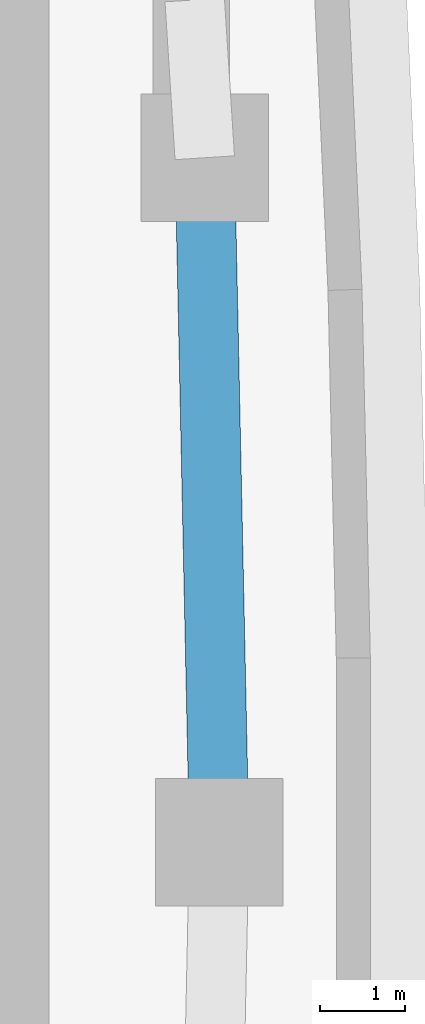
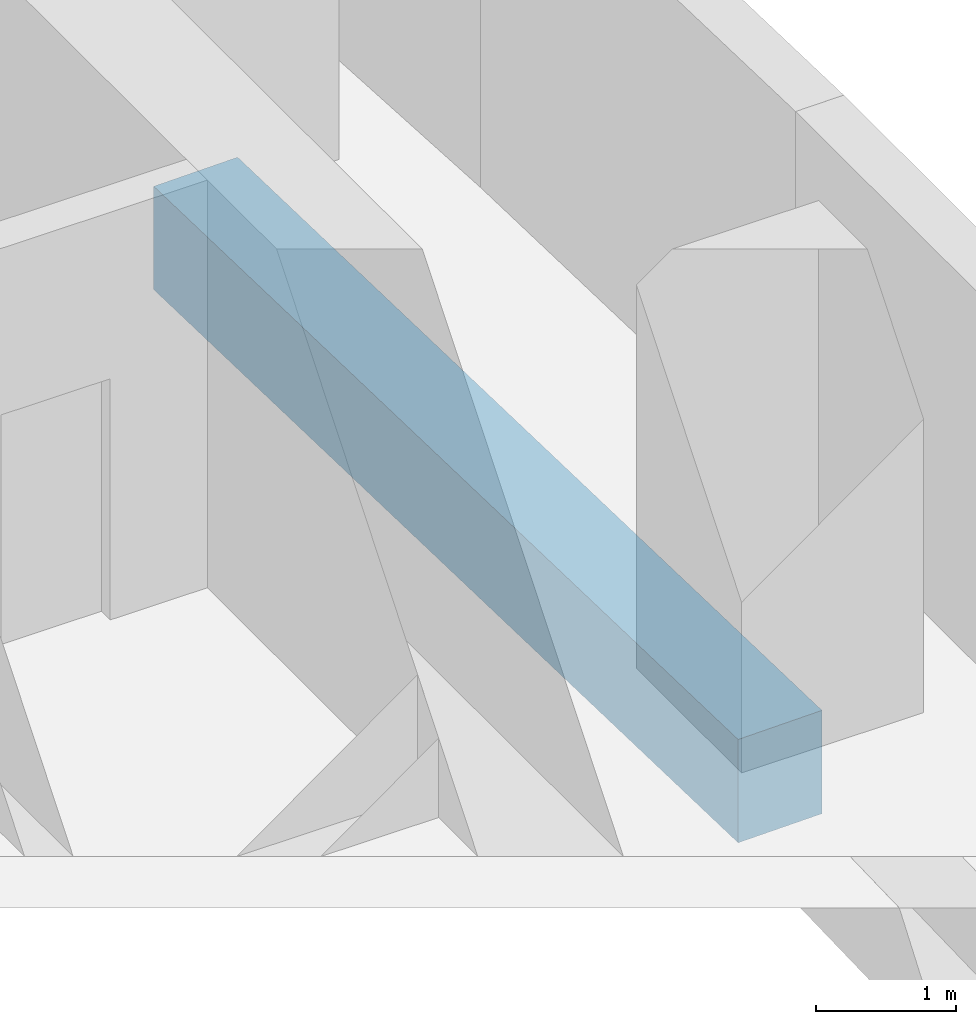
# One storey, part 4 of 17: 1 beam.
"""IFC4 building model written with IfcOpenShell, lengths in metres."""

import ifcopenshell
import ifcopenshell.guid

model = None  # the IFC model being written
_history = None  # IfcOwnerHistory: only IFC2X3 demands one
_inside = {}  # id of a spatial element -> (the spatial element, [elements in it])
_under = {}  # id of a project, library or spatial element -> (it, [spatial elements below it])
_declared = {}  # id of a project -> (the project, [libraries it declares])
_typed = {}  # id of a type object -> (the type object, [elements of that type])
_made_of = {}  # id of a material, layer set ... -> (it, [elements and type objects made of it])


def new_model(schema):
    """Start an empty IFC model of exactly this schema.

    Asked for "IFC4X3", IfcOpenShell would pick the latest addendum, in which some entities
    have other attributes; the version numbers below select the first issue.
    IFC2X3 requires an IfcOwnerHistory on every rooted entity: one is made here for all.
    """
    global model, _history
    if schema == "IFC4X3":
        model = ifcopenshell.file(schema_version=(4, 3, 0, 0))
    else:
        model = ifcopenshell.file(schema=schema)
    _inside.clear()
    _under.clear()
    _declared.clear()
    _typed.clear()
    _made_of.clear()
    _history = None
    if model.schema == "IFC2X3":
        org = make("IfcOrganization", Name="unknown")
        user = make(
            "IfcPersonAndOrganization",
            ThePerson=make("IfcPerson", FamilyName="unknown"),
            TheOrganization=org,
        )
        app = make(
            "IfcApplication",
            ApplicationDeveloper=org,
            Version="unknown",
            ApplicationFullName="unknown",
            ApplicationIdentifier="unknown",
        )
        _history = make(
            "IfcOwnerHistory",
            OwningUser=user,
            OwningApplication=app,
            ChangeAction="ADDED",
            CreationDate=0,
        )
    return model


def make(cls, **values):
    """One entity of the class cls with the attributes given. An attribute that is None is left unset."""
    return model.create_entity(
        cls, **{name: value for name, value in values.items() if value is not None}
    )


def rooted(cls, **values):
    """An entity with a GlobalId (a new one), such as an element, a storey or a relation."""
    return make(cls, GlobalId=ifcopenshell.guid.new(), OwnerHistory=_history, **values)


def si_unit(unit_type, name, prefix=None):
    """IfcSIUnit, for example si_unit("LENGTHUNIT", "METRE", prefix="MILLI")."""
    return make("IfcSIUnit", UnitType=unit_type, Prefix=prefix, Name=name)


def assignment(units):
    """IfcUnitAssignment: the units of a project."""
    return None if units is None else make("IfcUnitAssignment", Units=units)


def point(xyz):
    """IfcCartesianPoint."""
    return None if xyz is None else make("IfcCartesianPoint", Coordinates=xyz)


def direction(xyz):
    """IfcDirection."""
    return None if xyz is None else make("IfcDirection", DirectionRatios=xyz)


def frame(location, z_axis=None, x_axis=None):
    """IfcAxis2Placement3D, a coordinate frame: its origin and axes. An axis left out is left unset."""
    return make(
        "IfcAxis2Placement3D",
        Location=point(location),
        Axis=direction(z_axis),
        RefDirection=direction(x_axis),
    )


def frame_2d(location, x_axis=None):
    """IfcAxis2Placement2D, a coordinate frame in the plane: its origin and x axis."""
    return make(
        "IfcAxis2Placement2D", Location=point(location), RefDirection=direction(x_axis)
    )


def origin():
    """The frame at (0, 0, 0) with its axes left unset."""
    return frame((0.0, 0.0, 0.0))


def origin_2d():
    """The frame at (0, 0) in the plane with its x axis left unset."""
    return frame_2d((0.0, 0.0))


def place(relative_to, where):
    """IfcLocalPlacement: puts the frame where relative to a parent placement (None: the world)."""
    return make(
        "IfcLocalPlacement", PlacementRelTo=relative_to, RelativePlacement=where
    )


def context(
    kind, dimensions, precision=None, world=None, true_north=None, identifier=None
):
    """IfcGeometricRepresentationContext, for example the 3D "Model" context."""
    return make(
        "IfcGeometricRepresentationContext",
        ContextIdentifier=identifier,
        ContextType=kind,
        CoordinateSpaceDimension=dimensions,
        Precision=precision,
        WorldCoordinateSystem=world,
        TrueNorth=true_north,
    )


def subcontext(parent, identifier, kind, view, scale=None):
    """IfcGeometricRepresentationSubContext, for example "Body" below "Model"."""
    return make(
        "IfcGeometricRepresentationSubContext",
        ContextIdentifier=identifier,
        ContextType=kind,
        ParentContext=parent,
        TargetScale=scale,
        TargetView=view,
    )


def project(units=None, contexts=None):
    """IfcProject with its units and contexts."""
    return rooted(
        "IfcProject",
        Name="project",
        RepresentationContexts=contexts,
        UnitsInContext=assignment(units),
    )


def spatial(cls, under=None, at=None, **own):
    """A site, building, storey or space (cls), placed at a placement, below another one or the project."""
    s = rooted(cls, ObjectPlacement=at, **own)
    if under is not None:
        _under.setdefault(under.id(), (under, []))[1].append(s)
    return s


def profile(cls, at=None, kind="AREA", **sizes):
    """A parametric profile (cls). Its sizes go by their IFC names, for example OverallWidth=200.0."""
    return make(cls, ProfileType=kind, Position=at, **sizes)


def rectangle(**sizes):
    """IfcRectangleProfileDef."""
    return profile("IfcRectangleProfileDef", **sizes)


def extrude(swept, where, along, depth):
    """IfcExtrudedAreaSolid: the profile swept, set in the frame where, extruded along a direction by depth."""
    return make(
        "IfcExtrudedAreaSolid",
        SweptArea=swept,
        Position=where,
        ExtrudedDirection=direction(along),
        Depth=depth,
    )


def shape(context_of_items, identifier, shape_type, items):
    """IfcShapeRepresentation: the items that make up one representation, for example the "Body"."""
    return make(
        "IfcShapeRepresentation",
        ContextOfItems=context_of_items,
        RepresentationIdentifier=identifier,
        RepresentationType=shape_type,
        Items=items,
    )


def material(Name=None, Category=None):
    """IfcMaterial."""
    return make("IfcMaterial", Name=Name, Category=Category)


def material_profile(
    of_material, cross_section, Name=None, Category=None, Priority=None
):
    """IfcMaterialProfile: a cross section and its material."""
    return make(
        "IfcMaterialProfile",
        Name=Name,
        Material=of_material,
        Profile=cross_section,
        Priority=Priority,
        Category=Category,
    )


def profile_set(profiles, Name=None, composite=None):
    """IfcMaterialProfileSet."""
    return make(
        "IfcMaterialProfileSet",
        Name=Name,
        MaterialProfiles=profiles,
        CompositeProfile=composite,
    )


def made_of(thing, what):
    """Note that an element or type object is made of a material, layer set ...; save() writes the relation."""
    if what is not None:
        _made_of.setdefault(what.id(), (what, []))[1].append(thing)
    return thing


def type_object(cls, material=None, **own):
    """A type object (cls), such as IfcWallType, which elements share."""
    return made_of(rooted(cls, **own), material)


def element(
    cls,
    number,
    at=None,
    inside=None,
    cuts=None,
    type_object=None,
    material=None,
    context=None,
    identifier="Body",
    shape_type=None,
    held_by="IfcProductDefinitionShape",
    body=None,
    shapes=None,
    **own,
):
    """One element of the class cls, such as IfcWall. Its Tag is "e" and its number.

    at: its placement. inside: the storey or other place that contains it. cuts: it is an
    opening in that element (IfcRelVoidsElement). A single representation is given by context,
    identifier, shape_type and body (its items); several are given by shapes. held_by: the class
    of the entity that holds the representations. save() writes the other relations.
    """
    e = rooted(cls, Tag="e%d" % number, ObjectPlacement=at, **own)
    if body is not None:
        shapes = [shape(context, identifier, shape_type, body)]
    if shapes is not None:
        e.Representation = make(held_by, Representations=shapes)
    if inside is not None:
        _inside.setdefault(inside.id(), (inside, []))[1].append(e)
    if cuts is not None:
        rooted(
            "IfcRelVoidsElement", RelatingBuildingElement=cuts, RelatedOpeningElement=e
        )
    if type_object is not None:
        _typed.setdefault(type_object.id(), (type_object, []))[1].append(e)
    return made_of(e, material)


def aggregate(whole, parts):
    """IfcRelAggregates: a whole, such as a stair, and the parts it consists of."""
    return rooted("IfcRelAggregates", RelatingObject=whole, RelatedObjects=parts)


def save(model, path):
    """Write the relations noted so far, then the file.

    IfcRelAggregates (storeys below a building ...), IfcRelContainedInSpatialStructure (elements
    in a storey), IfcRelDefinesByType, IfcRelAssociatesMaterial and IfcRelDeclares: one each for
    every whole, place, type object, material and project.
    """
    for whole, parts in _under.values():
        aggregate(whole, parts)
    for where, things in _inside.values():
        rooted(
            "IfcRelContainedInSpatialStructure",
            RelatedElements=things,
            RelatingStructure=where,
        )
    for kind, things in _typed.values():
        rooted("IfcRelDefinesByType", RelatedObjects=things, RelatingType=kind)
    for what, things in _made_of.values():
        rooted("IfcRelAssociatesMaterial", RelatedObjects=things, RelatingMaterial=what)
    for by, libraries in _declared.values():
        rooted("IfcRelDeclares", RelatingContext=by, RelatedDefinitions=libraries)
    model.write(path)


model = new_model("IFC4")

# Units and contexts
model_context = context("Model", 3, precision=1e-05, world=origin(), true_north=direction((0.0, 1.0)))
body_context = subcontext(model_context, "Body", "Model", "MODEL_VIEW")
ifc_project = project(units=[si_unit("LENGTHUNIT", "METRE"), si_unit("AREAUNIT", "SQUARE_METRE"), si_unit("VOLUMEUNIT", "CUBIC_METRE"), si_unit("PLANEANGLEUNIT", "RADIAN"), si_unit("MASSUNIT", "GRAM", prefix="KILO")], contexts=[model_context])

# Site, building, storey
site_placement = place(None, origin())
site = spatial("IfcSite", under=ifc_project, at=site_placement, CompositionType="ELEMENT")
building_placement = place(site_placement, origin())
building = spatial("IfcBuilding", under=site, at=building_placement, Name="Ostrand Prow Hotel Tower", CompositionType="ELEMENT")
storey_placement = place(building_placement, frame((0.0, 0.0, 130.199951171875)))
storey = spatial("IfcBuildingStorey", under=building, at=storey_placement, Name="L31", CompositionType="ELEMENT", Elevation=130.199951171875)

# Beam
ifc_material = material(Name="Concrete C70/85", Category="concrete")
ifc_material_profile = material_profile(ifc_material, rectangle(XDim=0.699951171875, YDim=0.89990234375, at=origin_2d()), Name="RC 700x900")
ifc_profile_set = profile_set([ifc_material_profile], Name="Concrete C70/85")
beam_type = type_object("IfcBeamType", Name="Edge beam 700x900 C70/85", PredefinedType="SPANDREL", material=ifc_profile_set)
beam_placement = place(storey_placement, frame((64.5, 0.0, -0.75), z_axis=(-0.021178217658, 0.999775716397, 0.0), x_axis=(-0.999775716397, -0.021178217658, 0.0)))
element("IfcBeam", 1, at=beam_placement, inside=storey, type_object=beam_type, Name="Edge beam B3-B4", PredefinedType="SPANDREL", context=body_context, shape_type="SweptSolid", body=[
    extrude(rectangle(XDim=0.699951171875, YDim=0.89990234375, at=origin_2d()), origin(), (0.0, 0.0, 1.0), 8.04638671875),
])

save(model, "model.ifc")
